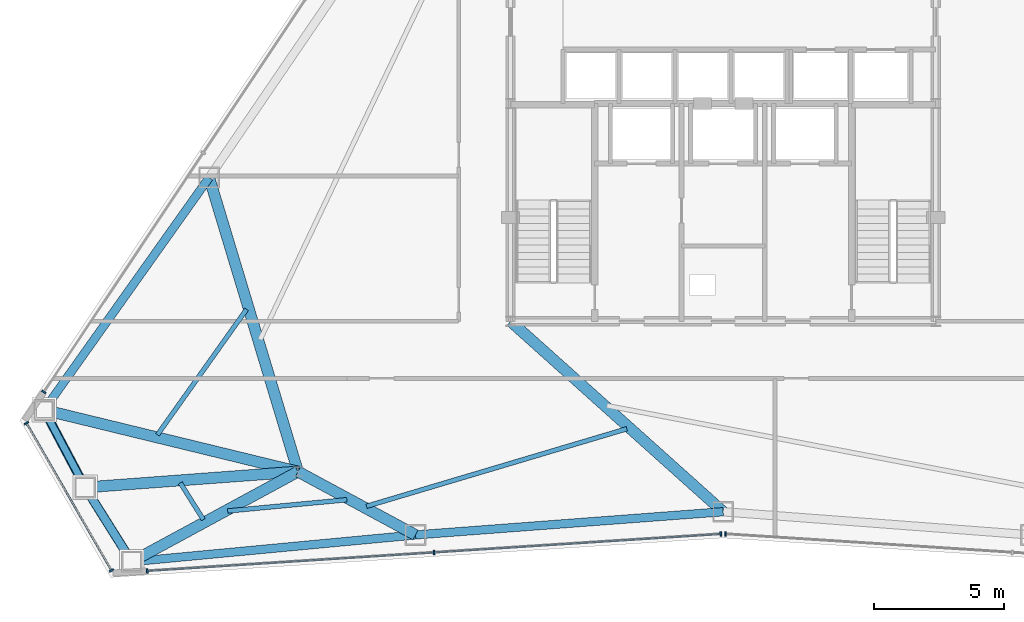
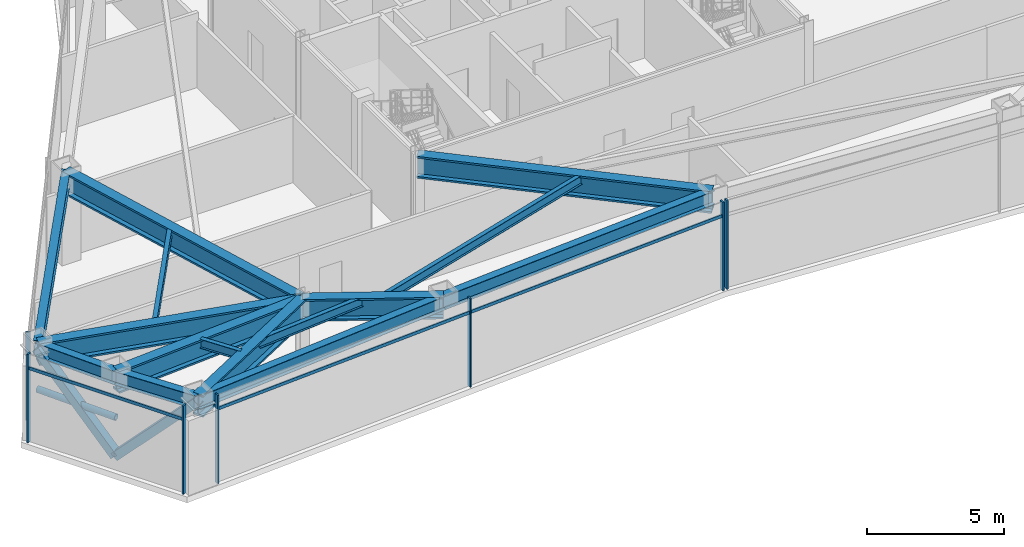
# One storey, part 3 of 13: 15 beams, 12 members, 4 elements without a shape of their own.
"""IFC4 building model written with IfcOpenShell, lengths in metres."""

from ifc_helpers import new_model, si_unit, direction, frame, origin, origin_2d, place, context, subcontext, project, spatial, rectangle, hollow_rectangle, hollow_circle, i_section, extrude, source, transform, mapped, material, layer, layer_set, material_profile, profile_set, type_object, type_shapes, element, aggregate, save


model = new_model("IFC4")

# Units and contexts
model_context = context("Model", 3, precision=1e-05, world=origin(), true_north=direction((0.0, 1.0)))
body_context = subcontext(model_context, "Body", "Model", "MODEL_VIEW")
ifc_project = project(units=[si_unit("LENGTHUNIT", "METRE"), si_unit("AREAUNIT", "SQUARE_METRE"), si_unit("VOLUMEUNIT", "CUBIC_METRE"), si_unit("PLANEANGLEUNIT", "RADIAN"), si_unit("MASSUNIT", "GRAM", prefix="KILO")], contexts=[model_context])

# Site, building, storey
site_placement = place(None, origin())
site = spatial("IfcSite", under=ifc_project, at=site_placement, CompositionType="ELEMENT")
building_placement = place(site_placement, origin())
building = spatial("IfcBuilding", under=site, at=building_placement, Name="Varakhsha Concourse Tower", CompositionType="ELEMENT")
storey_placement = place(building_placement, frame((0.0, 0.0, 200.699951171875)))
storey = spatial("IfcBuildingStorey", under=building, at=storey_placement, Name="L57", CompositionType="ELEMENT", Elevation=200.699951171875)

# Beams
ifc_material_1 = material(Name="Structural Steel ASTM A992 Grade 50", Category="steel")
ifc_material_profile_1 = material_profile(ifc_material_1, i_section(OverallWidth=0.177978515625, OverallDepth=0.406982421875, WebThickness=0.008056640625, FlangeThickness=0.012939453125, at=origin_2d()), Name="W16X40")
ifc_profile_set_1 = profile_set([ifc_material_profile_1], Name="Structural Steel ASTM A992 Grade 50")
beam_type_1 = type_object("IfcBeamType", Name="BM-JST-W16X40", PredefinedType="JOIST", material=ifc_profile_set_1)
beam_1_placement = place(storey_placement, frame((21.617431640625, 16.8623046875, 3.74658203125), z_axis=(-0.579096364336, -0.815259100417, 0.0), x_axis=(0.815259100417, -0.579096364336, 0.0)))
element("IfcBeam", 1, at=beam_1_placement, inside=storey, type_object=beam_type_1, Name="BM-TJST-L57-06", PredefinedType="JOIST", context=body_context, shape_type="SweptSolid", body=[
    extrude(i_section(OverallWidth=0.177978515625, OverallDepth=0.406982421875, WebThickness=0.008056640625, FlangeThickness=0.012939453125, at=origin_2d()), origin(), (0.0, 0.0, 1.0), 5.93603515625),
])
beam_2_placement = place(storey_placement, frame((19.060546875, 10.165771484375, 3.74658203125), z_axis=(0.531636755966, -0.846972466912, 0.0), x_axis=(0.846972466912, 0.531636755966, 0.0)))
element("IfcBeam", 2, at=beam_2_placement, inside=storey, type_object=beam_type_1, Name="BM-TJST-L57-08", PredefinedType="JOIST", context=body_context, shape_type="SweptSolid", body=[
    extrude(i_section(OverallWidth=0.177978515625, OverallDepth=0.406982421875, WebThickness=0.008056640625, FlangeThickness=0.012939453125, at=origin_2d()), origin(), (0.0, 0.0, 1.0), 1.673828125),
])
beam_3_placement = place(storey_placement, frame((20.887939453125, 9.081787109375, 3.74658203125), z_axis=(0.995580622142, 0.093910727901, 0.0), x_axis=(-0.093910727901, 0.995580622142, 0.0)))
element("IfcBeam", 3, at=beam_3_placement, inside=storey, type_object=beam_type_1, Name="BM-TJST-L57-09", PredefinedType="JOIST", context=body_context, shape_type="SweptSolid", body=[
    extrude(i_section(OverallWidth=0.177978515625, OverallDepth=0.406982421875, WebThickness=0.008056640625, FlangeThickness=0.012939453125, at=origin_2d()), origin(), (0.0, 0.0, 1.0), 4.6171875),
])
beam_4_placement = place(storey_placement, frame((26.243408203125, 9.26416015625, 3.74658203125), z_axis=(0.958433952688, 0.285314490231, 0.0), x_axis=(-0.285314490231, 0.958433952688, 0.0)))
element("IfcBeam", 4, at=beam_4_placement, inside=storey, type_object=beam_type_1, Name="BM-TJST-L57-10", PredefinedType="JOIST", context=body_context, shape_type="SweptSolid", body=[
    extrude(i_section(OverallWidth=0.177978515625, OverallDepth=0.406982421875, WebThickness=0.008056640625, FlangeThickness=0.012939453125, at=origin_2d()), origin(), (0.0, 0.0, 1.0), 10.478759765625),
])
ifc_material_profile_2 = material_profile(ifc_material_1, i_section(OverallWidth=0.323974609375, OverallDepth=0.611083984375, WebThickness=0.012939453125, FlangeThickness=0.01904296875, at=origin_2d()), Name="W24X104")
ifc_profile_set_2 = profile_set([ifc_material_profile_2], Name="Structural Steel ASTM A992 Grade 50")
beam_type_2 = type_object("IfcBeamType", Name="BM-SPAN-W24X104", PredefinedType="SPANDREL", material=ifc_profile_set_2)
beam_5_placement = place(storey_placement, frame((20.173583984375, 21.943115234375, 3.64453125), z_axis=(-0.579082848609, -0.815268700765, 0.0), x_axis=(0.815268700765, -0.579082848609, 0.0)))
element("IfcBeam", 5, at=beam_5_placement, inside=storey, type_object=beam_type_2, Name="BM-SPAN-L57-06", PredefinedType="SPANDREL", context=body_context, shape_type="SweptSolid", body=[
    extrude(i_section(OverallWidth=0.323974609375, OverallDepth=0.611083984375, WebThickness=0.012939453125, FlangeThickness=0.01904296875, at=origin_2d()), origin(), (0.0, 0.0, 1.0), 10.9931640625),
])
beam_6_placement = place(storey_placement, frame((13.8076171875, 12.980712890625, 3.64453125), z_axis=(0.467682080046, -0.883896754154, 0.0), x_axis=(0.883896754154, 0.467682080046, 0.0)))
element("IfcBeam", 6, at=beam_6_placement, inside=storey, type_object=beam_type_2, Name="BM-SPAN-L57-07", PredefinedType="SPANDREL", context=body_context, shape_type="SweptSolid", body=[
    extrude(i_section(OverallWidth=0.323974609375, OverallDepth=0.611083984375, WebThickness=0.012939453125, FlangeThickness=0.01904296875, at=origin_2d()), origin(), (0.0, 0.0, 1.0), 3.382080078125),
])
beam_7_placement = place(storey_placement, frame((15.389404296875, 9.9912109375, 3.64453125), z_axis=(0.531620036619, -0.84698296126, 0.0), x_axis=(0.84698296126, 0.531620036619, 0.0)))
element("IfcBeam", 7, at=beam_7_placement, inside=storey, type_object=beam_type_2, Name="BM-SPAN-L57-08", PredefinedType="SPANDREL", context=body_context, shape_type="SweptSolid", body=[
    extrude(i_section(OverallWidth=0.323974609375, OverallDepth=0.611083984375, WebThickness=0.012939453125, FlangeThickness=0.01904296875, at=origin_2d()), origin(), (0.0, 0.0, 1.0), 3.38232421875),
])
beam_8_placement = place(storey_placement, frame((17.1875, 7.12646484375, 3.64453125), z_axis=(0.995583968361, 0.093875246699, 0.0), x_axis=(-0.093875246699, 0.995583968361, 0.0)))
element("IfcBeam", 8, at=beam_8_placement, inside=storey, type_object=beam_type_2, Name="BM-SPAN-L57-09", PredefinedType="SPANDREL", context=body_context, shape_type="SweptSolid", body=[
    extrude(i_section(OverallWidth=0.323974609375, OverallDepth=0.611083984375, WebThickness=0.012939453125, FlangeThickness=0.01904296875, at=origin_2d()), origin(), (0.0, 0.0, 1.0), 10.9931640625),
])
beam_9_placement = place(storey_placement, frame((28.132080078125, 8.158447265625, 3.64453125), z_axis=(0.99717450924, 0.075119891647, 0.0), x_axis=(-0.075119891647, 0.99717450924, 0.0)))
element("IfcBeam", 9, at=beam_9_placement, inside=storey, type_object=beam_type_2, Name="BM-SPAN-L57-10", PredefinedType="SPANDREL", context=body_context, shape_type="SweptSolid", body=[
    extrude(i_section(OverallWidth=0.323974609375, OverallDepth=0.611083984375, WebThickness=0.012939453125, FlangeThickness=0.01904296875, at=origin_2d()), origin(), (0.0, 0.0, 1.0), 11.901611328125),
])
ifc_material_profile_3 = material_profile(ifc_material_1, i_section(OverallWidth=0.427978515625, OverallDepth=0.97509765625, WebThickness=0.050048828125, FlangeThickness=0.0810546875, at=origin_2d()), Name="W36X395")
ifc_profile_set_3 = profile_set([ifc_material_profile_3], Name="Structural Steel ASTM A992 Grade 50")
beam_type_3 = type_object("IfcBeamType", Name="BM-XFER-W36X395", PredefinedType="USERDEFINED", material=ifc_profile_set_3)
beam_10_placement = place(storey_placement, frame((23.60009765625, 10.60009765625, 3.462646484375), z_axis=(-0.289175246503, 0.957276175829, 0.0), x_axis=(-0.957276175829, -0.289175246503, 0.0)))
element("IfcBeam", 10, at=beam_10_placement, inside=storey, type_object=beam_type_3, Name="L57 Radial Floor Girder 06", ObjectType="GIRDER", PredefinedType="USERDEFINED", context=body_context, shape_type="SweptSolid", body=[
    extrude(i_section(OverallWidth=0.427978515625, OverallDepth=0.97509765625, WebThickness=0.050048828125, FlangeThickness=0.0810546875, at=origin_2d()), origin(), (0.0, 0.0, 1.0), 11.849365234375),
])
beam_11_placement = place(storey_placement, frame((23.60009765625, 10.60009765625, 3.462646484375), z_axis=(-0.971698119607, 0.236226087367, 0.0), x_axis=(-0.236226087367, -0.971698119607, 0.0)))
element("IfcBeam", 11, at=beam_11_placement, inside=storey, type_object=beam_type_3, Name="L57 Radial Floor Girder 07", ObjectType="GIRDER", PredefinedType="USERDEFINED", context=body_context, shape_type="SweptSolid", body=[
    extrude(i_section(OverallWidth=0.427978515625, OverallDepth=0.97509765625, WebThickness=0.050048828125, FlangeThickness=0.0810546875, at=origin_2d()), origin(), (0.0, 0.0, 1.0), 10.07763671875),
])
beam_12_placement = place(storey_placement, frame((23.60009765625, 10.60009765625, 3.462646484375), z_axis=(-0.997261601939, -0.073954697607, 0.0), x_axis=(0.073954697607, -0.997261601939, 0.0)))
element("IfcBeam", 12, at=beam_12_placement, inside=storey, type_object=beam_type_3, Name="L57 Radial Floor Girder 08", ObjectType="GIRDER", PredefinedType="USERDEFINED", context=body_context, shape_type="SweptSolid", body=[
    extrude(i_section(OverallWidth=0.427978515625, OverallDepth=0.97509765625, WebThickness=0.050048828125, FlangeThickness=0.0810546875, at=origin_2d()), origin(), (0.0, 0.0, 1.0), 8.233154296875),
])
beam_13_placement = place(storey_placement, frame((23.60009765625, 10.60009765625, 3.462646484375), z_axis=(-0.879283788348, -0.476298246426, 0.0), x_axis=(0.476298246426, -0.879283788348, 0.0)))
element("IfcBeam", 13, at=beam_13_placement, inside=storey, type_object=beam_type_3, Name="L57 Radial Floor Girder 09", ObjectType="GIRDER", PredefinedType="USERDEFINED", context=body_context, shape_type="SweptSolid", body=[
    extrude(i_section(OverallWidth=0.427978515625, OverallDepth=0.97509765625, WebThickness=0.050048828125, FlangeThickness=0.0810546875, at=origin_2d()), origin(), (0.0, 0.0, 1.0), 7.29296875),
])
beam_14_placement = place(storey_placement, frame((23.60009765625, 10.60009765625, 3.462646484375), z_axis=(0.880361431867, -0.474303435873, 0.0), x_axis=(0.474303435873, 0.880361431867, 0.0)))
element("IfcBeam", 14, at=beam_14_placement, inside=storey, type_object=beam_type_3, Name="L57 Radial Floor Girder 10", ObjectType="GIRDER", PredefinedType="USERDEFINED", context=body_context, shape_type="SweptSolid", body=[
    extrude(i_section(OverallWidth=0.427978515625, OverallDepth=0.97509765625, WebThickness=0.050048828125, FlangeThickness=0.0810546875, at=origin_2d()), origin(), (0.0, 0.0, 1.0), 5.14794921875),
])
beam_15_placement = place(storey_placement, frame((31.800048828125, 16.39990234375, 3.462646484375), z_axis=(0.744762092042, -0.667330072945, 0.0), x_axis=(0.667330072945, 0.744762092042, 0.0)))
element("IfcBeam", 15, at=beam_15_placement, inside=storey, type_object=beam_type_3, Name="L57 Radial Floor Girder 11", ObjectType="GIRDER", PredefinedType="USERDEFINED", context=body_context, shape_type="SweptSolid", body=[
    extrude(i_section(OverallWidth=0.427978515625, OverallDepth=0.97509765625, WebThickness=0.050048828125, FlangeThickness=0.0810546875, at=origin_2d()), origin(), (0.0, 0.0, 1.0), 11.01025390625),
])

# Members
ifc_material_2 = material(Name="Structural Steel ASTM A500 Grade C", Category="steel")
ifc_material_profile_4 = material_profile(ifc_material_2, hollow_rectangle(XDim=0.35009765625, YDim=0.35009765625, WallThickness=0.01611328125, at=origin_2d()), Name="HSS 350x350x16")
ifc_profile_set_4 = profile_set([ifc_material_profile_4], Name="Structural Steel ASTM A500 Grade C")
member_type_1 = type_object("IfcMemberType", Name="MB-TUBE-HSS350", PredefinedType="BRACE", material=ifc_profile_set_4)
shared_shape_1 = source(origin(), body_context, "Body", "SweptSolid", [
    extrude(hollow_rectangle(XDim=0.35009765625, YDim=0.35009765625, WallThickness=0.01611328125, at=origin_2d()), origin(), (0.0, 0.0, 1.0), 4.888916015625),
])
member_1_placement = place(storey_placement, frame((15.389404296875, 9.9912109375, 0.1201171875), z_axis=(0.367793913984, -0.585973358681, 0.722054609952), x_axis=(0.84698296126, 0.531620036619, 0.0)))
element("IfcMember", 16, at=member_1_placement, inside=storey, type_object=member_type_1, Name="L57 Wind-Corner Tube Brace B04", PredefinedType="BRACE", context=body_context, shape_type="MappedRepresentation", body=[
    mapped(shared_shape_1, transform((0.0, 0.0, 0.0), scale=1.0)),
])
shared_shape_2 = source(origin(), body_context, "Body", "SweptSolid", [
    extrude(hollow_rectangle(XDim=0.35009765625, YDim=0.35009765625, WallThickness=0.01611328125, at=origin_2d()), origin(), (0.0, 0.0, 1.0), 4.888671875),
])
type_shapes(member_type_1, [shared_shape_1, shared_shape_2])
member_2_placement = place(storey_placement, frame((15.389404296875, 9.9912109375, 0.1201171875), z_axis=(-0.323553829648, 0.61150125699, 0.722065877895), x_axis=(-0.883896754154, -0.467682080046, 0.0)))
element("IfcMember", 17, at=member_2_placement, inside=storey, type_object=member_type_1, Name="L57 Wind-Corner Tube Brace B03", PredefinedType="BRACE", context=body_context, shape_type="MappedRepresentation", body=[
    mapped(shared_shape_2, transform((0.0, 0.0, 0.0), scale=1.0)),
])
ifc_material_profile_5 = material_profile(ifc_material_2, hollow_circle(Radius=0.136474609375, WallThickness=0.011962890625, at=origin_2d()), Name="CHS 273x12")
ifc_profile_set_5 = profile_set([ifc_material_profile_5], Name="Structural Steel ASTM A500 Grade C")
member_type_2 = type_object("IfcMemberType", Name="MB-WIND-CHS273", PredefinedType="COLLAR", material=ifc_profile_set_5)
shared_shape_3 = source(origin(), body_context, "Body", "SweptSolid", [
    extrude(hollow_circle(Radius=0.136474609375, WallThickness=0.011962890625, at=origin_2d()), origin(), (0.0, 0.0, 1.0), 3.382080078125),
])
type_shapes(member_type_2, [shared_shape_3])
member_3_placement = place(storey_placement, frame((13.8076171875, 12.980712890625, 1.800048828125), z_axis=(0.467682080046, -0.883896754154, 0.0), x_axis=(0.883896754154, 0.467682080046, 0.0)))
element("IfcMember", 18, at=member_3_placement, inside=storey, type_object=member_type_2, Name="L57 Wind-Corner Collar Tie 2", PredefinedType="COLLAR", context=body_context, shape_type="MappedRepresentation", body=[
    mapped(shared_shape_3, transform((0.0, 0.0, 0.0), scale=1.0)),
])

# Curtain wall, member
ifc_material_3 = material(Name="Anodised Bronze Architectural Aluminium AA 6063-T6", Category="aluminium")
ifc_layer = layer(ifc_material_3, 0.199951171875, Name="CW-SYS-05")
ifc_layer_set = layer_set([ifc_layer], Name="Anodised Bronze Architectural Aluminium AA 6063-T6")
curtain_wall_type = type_object("IfcCurtainWallType", Name="CW-SYS-05", PredefinedType="NOTDEFINED", material=ifc_layer_set)
curtain_wall_1_placement = place(storey_placement, origin())
curtain_wall_1 = element("IfcCurtainWall", 19, at=curtain_wall_1_placement, inside=storey, type_object=curtain_wall_type, Name="L57 Crystal Curtain Wall F3", PredefinedType="NOTDEFINED")
ifc_material_profile_6 = material_profile(ifc_material_3, rectangle(XDim=0.06494140625, YDim=0.179931640625, at=origin_2d()), Name="CWM-180X65")
ifc_profile_set_6 = profile_set([ifc_material_profile_6], Name="Anodised Bronze Architectural Aluminium AA 6063-T6")
member_type_3 = type_object("IfcMemberType", Name="CWM-180X65", PredefinedType="MULLION", material=ifc_profile_set_6)
shared_shape_4 = source(origin(), body_context, "Body", "SweptSolid", [
    extrude(rectangle(XDim=0.06494140625, YDim=0.179931640625, at=origin_2d()), origin(), (0.0, 0.0, 1.0), 3.949951171875),
])
type_shapes(member_type_3, [shared_shape_4])
member_4_placement = place(storey_placement, frame((13.798095703125, 13.675048828125, 0.0), z_axis=(0.0, 0.0, 1.0), x_axis=(0.554591747974, 0.832122582964, 0.0)))
member_4 = element("IfcMember", 20, at=member_4_placement, type_object=member_type_3, Name="CW-L57-F3 Mullion 00", PredefinedType="MULLION", context=body_context, shape_type="MappedRepresentation", body=[
    mapped(shared_shape_4, transform((0.0, 0.0, 0.0), scale=1.0)),
])
aggregate(curtain_wall_1, [member_4])

# Curtain wall, members
curtain_wall_2_placement = place(storey_placement, origin())
curtain_wall_2 = element("IfcCurtainWall", 21, at=curtain_wall_2_placement, inside=storey, type_object=curtain_wall_type, Name="L57 Chamfer Curtain Wall F4", PredefinedType="NOTDEFINED")
member_5_placement = place(storey_placement, frame((16.406005859375, 6.79052734375, 0.0), z_axis=(0.0, 0.0, 1.0), x_axis=(-0.499995465495, 0.866028021766, 0.0)))
member_5 = element("IfcMember", 22, at=member_5_placement, type_object=member_type_3, Name="CW-L57-F4 Mullion 00", PredefinedType="MULLION", context=body_context, shape_type="MappedRepresentation", body=[
    mapped(shared_shape_4, transform((0.0, 0.0, 0.0), scale=1.0)),
])
member_6_placement = place(storey_placement, frame((13.1259765625, 12.4716796875, 0.0), z_axis=(0.0, 0.0, 1.0), x_axis=(-0.499995465495, 0.866028021766, 0.0)))
member_6 = element("IfcMember", 23, at=member_6_placement, type_object=member_type_3, Name="CW-L57-F4 Mullion 01", PredefinedType="MULLION", context=body_context, shape_type="MappedRepresentation", body=[
    mapped(shared_shape_4, transform((0.0, 0.0, 0.0), scale=1.0)),
])

curtain_wall_3_placement = place(storey_placement, origin())
curtain_wall_3 = element("IfcCurtainWall", 24, at=curtain_wall_3_placement, inside=storey, type_object=curtain_wall_type, Name="L57 Crystal Curtain Wall F5", PredefinedType="NOTDEFINED")
member_7_placement = place(storey_placement, frame((39.909912109375, 8.195068359375, 0.0), z_axis=(0.0, 0.0, 1.0), x_axis=(-0.997935057794, -0.064230992718, 0.0)))
member_7 = element("IfcMember", 25, at=member_7_placement, type_object=member_type_3, Name="CW-L57-F5 Mullion 00", PredefinedType="MULLION", context=body_context, shape_type="MappedRepresentation", body=[
    mapped(shared_shape_4, transform((0.0, 0.0, 0.0), scale=1.0)),
])
member_8_placement = place(storey_placement, frame((28.846923828125, 7.48291015625, 0.0), z_axis=(0.0, 0.0, 1.0), x_axis=(-0.997935057794, -0.064230992718, 0.0)))
member_8 = element("IfcMember", 26, at=member_8_placement, type_object=member_type_3, Name="CW-L57-F5 Mullion 01", PredefinedType="MULLION", context=body_context, shape_type="MappedRepresentation", body=[
    mapped(shared_shape_4, transform((0.0, 0.0, 0.0), scale=1.0)),
])
member_9_placement = place(storey_placement, frame((17.7841796875, 6.77099609375, 0.0), z_axis=(0.0, 0.0, 1.0), x_axis=(-0.997935057794, -0.064230992718, 0.0)))
member_9 = element("IfcMember", 27, at=member_9_placement, type_object=member_type_3, Name="CW-L57-F5 Mullion 02", PredefinedType="MULLION", context=body_context, shape_type="MappedRepresentation", body=[
    mapped(shared_shape_4, transform((0.0, 0.0, 0.0), scale=1.0)),
])

# Curtain wall, member
curtain_wall_4_placement = place(storey_placement, origin())
curtain_wall_4 = element("IfcCurtainWall", 28, at=curtain_wall_4_placement, inside=storey, type_object=curtain_wall_type, Name="L57 Crystal Curtain Wall F6", PredefinedType="NOTDEFINED")
member_10_placement = place(storey_placement, frame((40.090087890625, 8.195068359375, 0.0), z_axis=(0.0, 0.0, 1.0), x_axis=(-0.997935057794, 0.064230992718, 0.0)))
member_10 = element("IfcMember", 29, at=member_10_placement, type_object=member_type_3, Name="CW-L57-F6 Mullion 02", PredefinedType="MULLION", context=body_context, shape_type="MappedRepresentation", body=[
    mapped(shared_shape_4, transform((0.0, 0.0, 0.0), scale=1.0)),
])
aggregate(curtain_wall_4, [member_10])

# Member
ifc_material_profile_7 = material_profile(ifc_material_3, rectangle(XDim=0.06005859375, YDim=0.139892578125, at=origin_2d()), Name="CWT-140X60")
ifc_profile_set_7 = profile_set([ifc_material_profile_7], Name="Anodised Bronze Architectural Aluminium AA 6063-T6")
member_type_4 = type_object("IfcMemberType", Name="CWT-140X60", PredefinedType="USERDEFINED", material=ifc_profile_set_7)
shared_shape_5 = source(origin(), body_context, "Body", "SweptSolid", [
    extrude(rectangle(XDim=0.06005859375, YDim=0.139892578125, at=origin_2d()), origin(), (0.0, 0.0, 1.0), 6.56005859375),
])
member_11_placement = place(storey_placement, frame((16.406005859375, 6.79052734375, 3.300048828125), z_axis=(-0.500001653409, 0.866024449186, 0.0), x_axis=(-0.866024449186, -0.500001653409, 0.0)))
member_11 = element("IfcMember", 30, at=member_11_placement, type_object=member_type_4, Name="CW-L57-F4 Transom 01", ObjectType="TRANSOM", PredefinedType="USERDEFINED", context=body_context, shape_type="MappedRepresentation", body=[
    mapped(shared_shape_5, transform((0.0, 0.0, 0.0), scale=1.0)),
])

aggregate(curtain_wall_2, [member_5, member_6, member_11])

shared_shape_6 = source(origin(), body_context, "Body", "SweptSolid", [
    extrude(rectangle(XDim=0.06005859375, YDim=0.139892578125, at=origin_2d()), origin(), (0.0, 0.0, 1.0), 22.171630859375),
])
type_shapes(member_type_4, [shared_shape_5, shared_shape_6])
member_12_placement = place(storey_placement, frame((39.909912109375, 8.195068359375, 3.300048828125), z_axis=(-0.997935133461, -0.064229817091, 0.0), x_axis=(0.064229817091, -0.997935133461, 0.0)))
member_12 = element("IfcMember", 31, at=member_12_placement, type_object=member_type_4, Name="CW-L57-F5 Transom 01", ObjectType="TRANSOM", PredefinedType="USERDEFINED", context=body_context, shape_type="MappedRepresentation", body=[
    mapped(shared_shape_6, transform((0.0, 0.0, 0.0), scale=1.0)),
])

aggregate(curtain_wall_3, [member_7, member_8, member_9, member_12])

save(model, "model.ifc")
